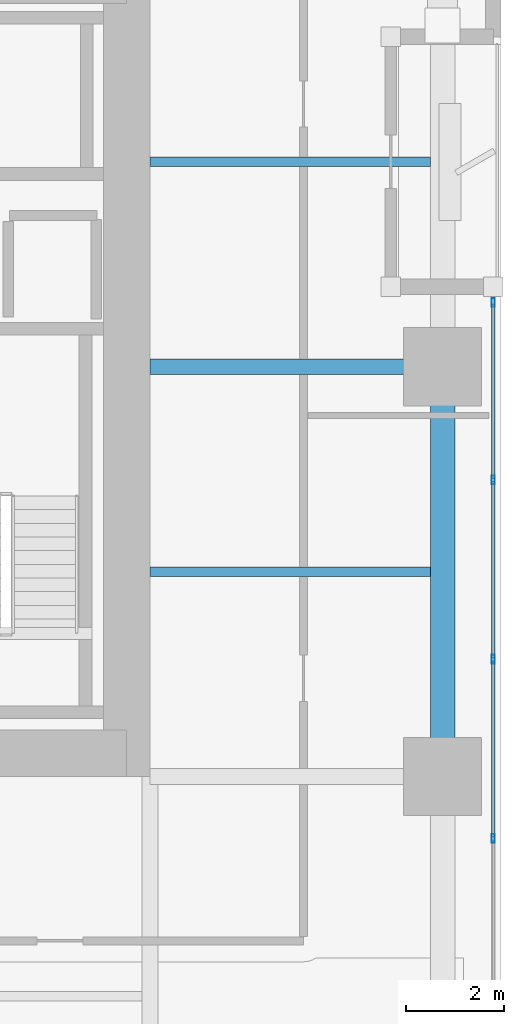
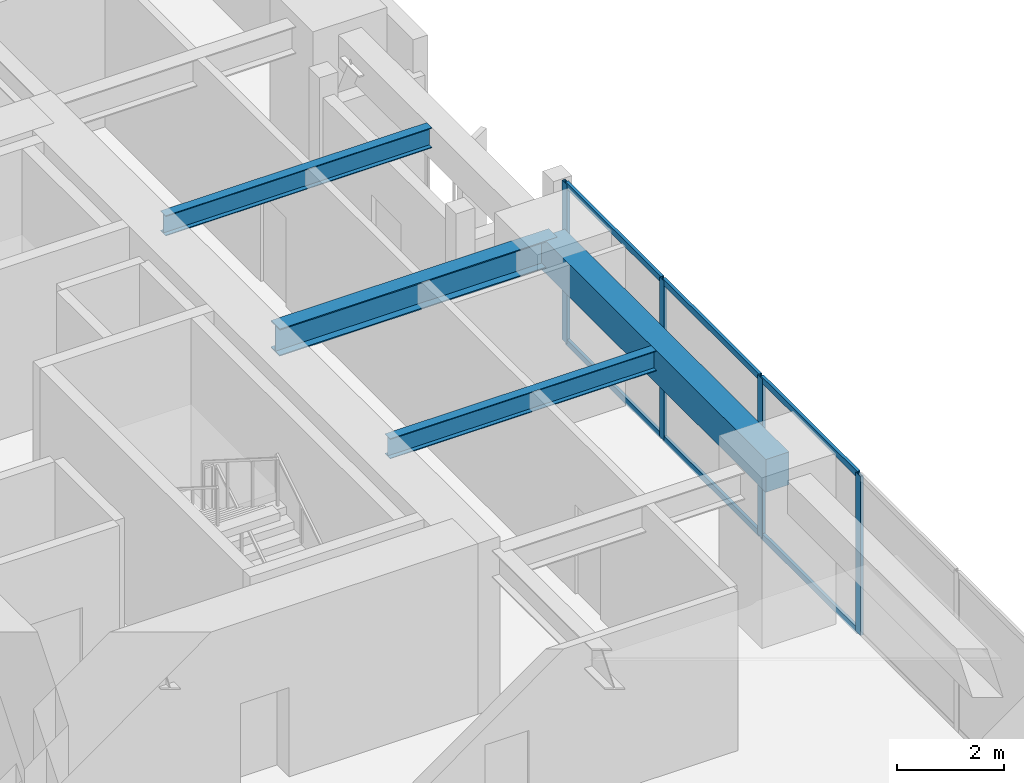
# One storey, part 6 of 24: 10 members, 4 beams, 1 element without a shape of its own.
"""IFC4 building model written with IfcOpenShell, lengths in metres."""

import ifcopenshell
import ifcopenshell.guid

model = None  # the IFC model being written
_history = None  # IfcOwnerHistory: only IFC2X3 demands one
_inside = {}  # id of a spatial element -> (the spatial element, [elements in it])
_under = {}  # id of a project, library or spatial element -> (it, [spatial elements below it])
_declared = {}  # id of a project -> (the project, [libraries it declares])
_typed = {}  # id of a type object -> (the type object, [elements of that type])
_made_of = {}  # id of a material, layer set ... -> (it, [elements and type objects made of it])


def new_model(schema):
    """Start an empty IFC model of exactly this schema.

    Asked for "IFC4X3", IfcOpenShell would pick the latest addendum, in which some entities
    have other attributes; the version numbers below select the first issue.
    IFC2X3 requires an IfcOwnerHistory on every rooted entity: one is made here for all.
    """
    global model, _history
    if schema == "IFC4X3":
        model = ifcopenshell.file(schema_version=(4, 3, 0, 0))
    else:
        model = ifcopenshell.file(schema=schema)
    _inside.clear()
    _under.clear()
    _declared.clear()
    _typed.clear()
    _made_of.clear()
    _history = None
    if model.schema == "IFC2X3":
        org = make("IfcOrganization", Name="unknown")
        user = make(
            "IfcPersonAndOrganization",
            ThePerson=make("IfcPerson", FamilyName="unknown"),
            TheOrganization=org,
        )
        app = make(
            "IfcApplication",
            ApplicationDeveloper=org,
            Version="unknown",
            ApplicationFullName="unknown",
            ApplicationIdentifier="unknown",
        )
        _history = make(
            "IfcOwnerHistory",
            OwningUser=user,
            OwningApplication=app,
            ChangeAction="ADDED",
            CreationDate=0,
        )
    return model


def make(cls, **values):
    """One entity of the class cls with the attributes given. An attribute that is None is left unset."""
    return model.create_entity(
        cls, **{name: value for name, value in values.items() if value is not None}
    )


def rooted(cls, **values):
    """An entity with a GlobalId (a new one), such as an element, a storey or a relation."""
    return make(cls, GlobalId=ifcopenshell.guid.new(), OwnerHistory=_history, **values)


def si_unit(unit_type, name, prefix=None):
    """IfcSIUnit, for example si_unit("LENGTHUNIT", "METRE", prefix="MILLI")."""
    return make("IfcSIUnit", UnitType=unit_type, Prefix=prefix, Name=name)


def assignment(units):
    """IfcUnitAssignment: the units of a project."""
    return None if units is None else make("IfcUnitAssignment", Units=units)


def point(xyz):
    """IfcCartesianPoint."""
    return None if xyz is None else make("IfcCartesianPoint", Coordinates=xyz)


def direction(xyz):
    """IfcDirection."""
    return None if xyz is None else make("IfcDirection", DirectionRatios=xyz)


def frame(location, z_axis=None, x_axis=None):
    """IfcAxis2Placement3D, a coordinate frame: its origin and axes. An axis left out is left unset."""
    return make(
        "IfcAxis2Placement3D",
        Location=point(location),
        Axis=direction(z_axis),
        RefDirection=direction(x_axis),
    )


def frame_2d(location, x_axis=None):
    """IfcAxis2Placement2D, a coordinate frame in the plane: its origin and x axis."""
    return make(
        "IfcAxis2Placement2D", Location=point(location), RefDirection=direction(x_axis)
    )


def origin():
    """The frame at (0, 0, 0) with its axes left unset."""
    return frame((0.0, 0.0, 0.0))


def origin_2d():
    """The frame at (0, 0) in the plane with its x axis left unset."""
    return frame_2d((0.0, 0.0))


def place(relative_to, where):
    """IfcLocalPlacement: puts the frame where relative to a parent placement (None: the world)."""
    return make(
        "IfcLocalPlacement", PlacementRelTo=relative_to, RelativePlacement=where
    )


def context(
    kind, dimensions, precision=None, world=None, true_north=None, identifier=None
):
    """IfcGeometricRepresentationContext, for example the 3D "Model" context."""
    return make(
        "IfcGeometricRepresentationContext",
        ContextIdentifier=identifier,
        ContextType=kind,
        CoordinateSpaceDimension=dimensions,
        Precision=precision,
        WorldCoordinateSystem=world,
        TrueNorth=true_north,
    )


def subcontext(parent, identifier, kind, view, scale=None):
    """IfcGeometricRepresentationSubContext, for example "Body" below "Model"."""
    return make(
        "IfcGeometricRepresentationSubContext",
        ContextIdentifier=identifier,
        ContextType=kind,
        ParentContext=parent,
        TargetScale=scale,
        TargetView=view,
    )


def project(units=None, contexts=None):
    """IfcProject with its units and contexts."""
    return rooted(
        "IfcProject",
        Name="project",
        RepresentationContexts=contexts,
        UnitsInContext=assignment(units),
    )


def spatial(cls, under=None, at=None, **own):
    """A site, building, storey or space (cls), placed at a placement, below another one or the project."""
    s = rooted(cls, ObjectPlacement=at, **own)
    if under is not None:
        _under.setdefault(under.id(), (under, []))[1].append(s)
    return s


def profile(cls, at=None, kind="AREA", **sizes):
    """A parametric profile (cls). Its sizes go by their IFC names, for example OverallWidth=200.0."""
    return make(cls, ProfileType=kind, Position=at, **sizes)


def rectangle(**sizes):
    """IfcRectangleProfileDef."""
    return profile("IfcRectangleProfileDef", **sizes)


def hollow_rectangle(**sizes):
    """IfcRectangleHollowProfileDef."""
    return profile("IfcRectangleHollowProfileDef", **sizes)


def i_section(**sizes):
    """IfcIShapeProfileDef."""
    return profile("IfcIShapeProfileDef", **sizes)


def extrude(swept, where, along, depth):
    """IfcExtrudedAreaSolid: the profile swept, set in the frame where, extruded along a direction by depth."""
    return make(
        "IfcExtrudedAreaSolid",
        SweptArea=swept,
        Position=where,
        ExtrudedDirection=direction(along),
        Depth=depth,
    )


def shape(context_of_items, identifier, shape_type, items):
    """IfcShapeRepresentation: the items that make up one representation, for example the "Body"."""
    return make(
        "IfcShapeRepresentation",
        ContextOfItems=context_of_items,
        RepresentationIdentifier=identifier,
        RepresentationType=shape_type,
        Items=items,
    )


def material(Name=None, Category=None):
    """IfcMaterial."""
    return make("IfcMaterial", Name=Name, Category=Category)


def layer(
    of_material, thickness, ventilated=None, Name=None, Category=None, Priority=None
):
    """IfcMaterialLayer: one layer of a wall or slab, of a material (None: an air gap)."""
    return make(
        "IfcMaterialLayer",
        Material=of_material,
        LayerThickness=thickness,
        IsVentilated=ventilated,
        Name=Name,
        Category=Category,
        Priority=Priority,
    )


def layer_set(layers, Name=None):
    """IfcMaterialLayerSet."""
    return make("IfcMaterialLayerSet", MaterialLayers=layers, LayerSetName=Name)


def material_profile(
    of_material, cross_section, Name=None, Category=None, Priority=None
):
    """IfcMaterialProfile: a cross section and its material."""
    return make(
        "IfcMaterialProfile",
        Name=Name,
        Material=of_material,
        Profile=cross_section,
        Priority=Priority,
        Category=Category,
    )


def profile_set(profiles, Name=None, composite=None):
    """IfcMaterialProfileSet."""
    return make(
        "IfcMaterialProfileSet",
        Name=Name,
        MaterialProfiles=profiles,
        CompositeProfile=composite,
    )


def made_of(thing, what):
    """Note that an element or type object is made of a material, layer set ...; save() writes the relation."""
    if what is not None:
        _made_of.setdefault(what.id(), (what, []))[1].append(thing)
    return thing


def type_object(cls, material=None, **own):
    """A type object (cls), such as IfcWallType, which elements share."""
    return made_of(rooted(cls, **own), material)


def element(
    cls,
    number,
    at=None,
    inside=None,
    cuts=None,
    type_object=None,
    material=None,
    context=None,
    identifier="Body",
    shape_type=None,
    held_by="IfcProductDefinitionShape",
    body=None,
    shapes=None,
    **own,
):
    """One element of the class cls, such as IfcWall. Its Tag is "e" and its number.

    at: its placement. inside: the storey or other place that contains it. cuts: it is an
    opening in that element (IfcRelVoidsElement). A single representation is given by context,
    identifier, shape_type and body (its items); several are given by shapes. held_by: the class
    of the entity that holds the representations. save() writes the other relations.
    """
    e = rooted(cls, Tag="e%d" % number, ObjectPlacement=at, **own)
    if body is not None:
        shapes = [shape(context, identifier, shape_type, body)]
    if shapes is not None:
        e.Representation = make(held_by, Representations=shapes)
    if inside is not None:
        _inside.setdefault(inside.id(), (inside, []))[1].append(e)
    if cuts is not None:
        rooted(
            "IfcRelVoidsElement", RelatingBuildingElement=cuts, RelatedOpeningElement=e
        )
    if type_object is not None:
        _typed.setdefault(type_object.id(), (type_object, []))[1].append(e)
    return made_of(e, material)


def aggregate(whole, parts):
    """IfcRelAggregates: a whole, such as a stair, and the parts it consists of."""
    return rooted("IfcRelAggregates", RelatingObject=whole, RelatedObjects=parts)


def save(model, path):
    """Write the relations noted so far, then the file.

    IfcRelAggregates (storeys below a building ...), IfcRelContainedInSpatialStructure (elements
    in a storey), IfcRelDefinesByType, IfcRelAssociatesMaterial and IfcRelDeclares: one each for
    every whole, place, type object, material and project.
    """
    for whole, parts in _under.values():
        aggregate(whole, parts)
    for where, things in _inside.values():
        rooted(
            "IfcRelContainedInSpatialStructure",
            RelatedElements=things,
            RelatingStructure=where,
        )
    for kind, things in _typed.values():
        rooted("IfcRelDefinesByType", RelatedObjects=things, RelatingType=kind)
    for what, things in _made_of.values():
        rooted("IfcRelAssociatesMaterial", RelatedObjects=things, RelatingMaterial=what)
    for by, libraries in _declared.values():
        rooted("IfcRelDeclares", RelatingContext=by, RelatedDefinitions=libraries)
    model.write(path)


model = new_model("IFC4")

# Units and contexts
model_context = context("Model", 3, precision=1e-05, world=origin(), true_north=direction((0.0, 1.0)))
body_context = subcontext(model_context, "Body", "Model", "MODEL_VIEW")
ifc_project = project(units=[si_unit("LENGTHUNIT", "METRE"), si_unit("AREAUNIT", "SQUARE_METRE"), si_unit("VOLUMEUNIT", "CUBIC_METRE"), si_unit("PLANEANGLEUNIT", "RADIAN"), si_unit("MASSUNIT", "GRAM", prefix="KILO")], contexts=[model_context])

# Site, building, storey
site_placement = place(None, origin())
site = spatial("IfcSite", under=ifc_project, at=site_placement, CompositionType="ELEMENT")
building_placement = place(site_placement, origin())
building = spatial("IfcBuilding", under=site, at=building_placement, Name="Kiyonajd Concourse Tower", CompositionType="ELEMENT")
storey_placement = place(building_placement, frame((0.0, 0.0, 89.699951171875)))
storey = spatial("IfcBuildingStorey", under=building, at=storey_placement, Name="L23", CompositionType="ELEMENT", Elevation=89.699951171875)

# Beams
ifc_material_1 = material(Name="Steel ASTM A992 Grade 50", Category="steel")
ifc_material_profile_1 = material_profile(ifc_material_1, i_section(OverallWidth=0.19189453125, OverallDepth=0.462890625, WebThickness=0.010498046875, FlangeThickness=0.017578125, at=origin_2d()), Name="W460X89")
ifc_profile_set_1 = profile_set([ifc_material_profile_1], Name="Steel ASTM A992 Grade 50")
beam_type_1 = type_object("IfcBeamType", Name="BM-JST-460B", PredefinedType="JOIST", material=ifc_profile_set_1)
for number, where, z_axis, x_axis, name in (
    (1, (63.60009765625, 31.800048828125, 3.408447265625), (1.0, 0.0, 0.0), (0.0, 1.0, 0.0), "L23 East Secondary Floor Joist"),
    (2, (63.60009765625, 40.199951171875, 3.408447265625), (1.0, 0.0, 0.0), (0.0, 1.0, 0.0), "L23 East Secondary Floor Joist"),
):
    element("IfcBeam", number, at=place(storey_placement, frame(where, z_axis=z_axis, x_axis=x_axis)), inside=storey, type_object=beam_type_1, Name=name, PredefinedType="JOIST", context=body_context, shape_type="SweptSolid", body=[
        extrude(i_section(OverallWidth=0.19189453125, OverallDepth=0.462890625, WebThickness=0.010498046875, FlangeThickness=0.017578125, at=origin_2d()), origin(), (0.0, 0.0, 1.0), 5.75),
    ])
ifc_material_2 = material(Name="Precast concrete C50/60", Category="concrete")
ifc_material_profile_2 = material_profile(ifc_material_2, rectangle(XDim=0.5, YDim=0.75, at=origin_2d()), Name="RCBM-500x750")
ifc_profile_set_2 = profile_set([ifc_material_profile_2], Name="Precast concrete C50/60")
beam_type_2 = type_object("IfcBeamType", Name="BM-SPAN-RC", PredefinedType="SPANDREL", material=ifc_profile_set_2)
beam_1_placement = place(storey_placement, frame((69.60009765625, 27.60009765625, 3.26513671875), z_axis=(0.0, 1.0, 0.0), x_axis=(-1.0, 0.0, 0.0)))
element("IfcBeam", 3, at=beam_1_placement, inside=storey, type_object=beam_type_2, Name="L23 Perimeter Bundled Tube Spandrel", PredefinedType="SPANDREL", context=body_context, shape_type="SweptSolid", body=[
    extrude(rectangle(XDim=0.5, YDim=0.75, at=origin_2d()), origin(), (0.0, 0.0, 1.0), 8.39990234375),
])
ifc_material_profile_3 = material_profile(ifc_material_1, i_section(OverallWidth=0.326904296875, OverallDepth=0.6220703125, WebThickness=0.015380859375, FlangeThickness=0.0244140625, at=origin_2d()), Name="W610X195")
ifc_profile_set_3 = profile_set([ifc_material_profile_3], Name="Steel ASTM A992 Grade 50")
beam_type_3 = type_object("IfcBeamType", Name="BM-TWR-610A", PredefinedType="BEAM", material=ifc_profile_set_3)
beam_2_placement = place(storey_placement, frame((63.60009765625, 36.0, 3.3291015625), z_axis=(1.0, 0.0, 0.0), x_axis=(0.0, 1.0, 0.0)))
element("IfcBeam", 4, at=beam_2_placement, inside=storey, type_object=beam_type_3, Name="L23 East Lease Girder", PredefinedType="BEAM", context=body_context, shape_type="SweptSolid", body=[
    extrude(i_section(OverallWidth=0.326904296875, OverallDepth=0.6220703125, WebThickness=0.015380859375, FlangeThickness=0.0244140625, at=origin_2d()), origin(), (0.0, 0.0, 1.0), 6.0),
])

# Curtain wall, members
ifc_material_3 = material(Name="Thermally Broken Anodised Aluminium", Category="aluminium")
ifc_layer = layer(ifc_material_3, 0.179931640625)
ifc_layer_set = layer_set([ifc_layer], Name="Thermally Broken Anodised Aluminium")
curtain_wall_type = type_object("IfcCurtainWallType", Name="CW-SYS-03", PredefinedType="NOTDEFINED", material=ifc_layer_set)
curtain_wall_placement = place(storey_placement, origin())
curtain_wall = element("IfcCurtainWall", 5, at=curtain_wall_placement, inside=storey, type_object=curtain_wall_type, Name="L23 Unitised Curtain Wall CW3", PredefinedType="NOTDEFINED")
ifc_material_profile_4 = material_profile(ifc_material_3, hollow_rectangle(XDim=0.06494140625, YDim=0.179931640625, WallThickness=0.00390625, at=origin_2d()), Name="MULL-65x180")
ifc_profile_set_4 = profile_set([ifc_material_profile_4], Name="Thermally Broken Anodised Aluminium")
member_type_1 = type_object("IfcMemberType", Name="MB-CW-MULL1", PredefinedType="MULLION", material=ifc_profile_set_4)
member_1_placement = place(storey_placement, frame((70.639892578125, 37.3173828125, 0.0), z_axis=(0.0, 0.0, 1.0), x_axis=(1.0, 0.0, 0.0)))
member_1 = element("IfcMember", 6, at=member_1_placement, type_object=member_type_1, Name="CW3 mullion 1", PredefinedType="MULLION", context=body_context, shape_type="SweptSolid", body=[
    extrude(hollow_rectangle(XDim=0.06494140625, YDim=0.179931640625, WallThickness=0.00390625, at=origin_2d()), origin(), (0.0, 0.0, 1.0), 3.64013671875),
])
member_2_placement = place(storey_placement, frame((70.639892578125, 33.6767578125, 0.0), z_axis=(0.0, 0.0, 1.0), x_axis=(1.0, 0.0, 0.0)))
member_2 = element("IfcMember", 7, at=member_2_placement, type_object=member_type_1, Name="CW3 mullion 2", PredefinedType="MULLION", context=body_context, shape_type="SweptSolid", body=[
    extrude(hollow_rectangle(XDim=0.06494140625, YDim=0.179931640625, WallThickness=0.00390625, at=origin_2d()), origin(), (0.0, 0.0, 1.0), 3.64013671875),
])
member_3_placement = place(storey_placement, frame((70.639892578125, 30.003662109375, 0.0), z_axis=(0.0, 0.0, 1.0), x_axis=(1.0, 0.0, 0.0)))
member_3 = element("IfcMember", 8, at=member_3_placement, type_object=member_type_1, Name="CW3 mullion 3", PredefinedType="MULLION", context=body_context, shape_type="SweptSolid", body=[
    extrude(hollow_rectangle(XDim=0.06494140625, YDim=0.179931640625, WallThickness=0.00390625, at=origin_2d()), origin(), (0.0, 0.0, 1.0), 3.64013671875),
])
member_4_placement = place(storey_placement, frame((70.639892578125, 26.33056640625, 0.0), z_axis=(0.0, 0.0, 1.0), x_axis=(1.0, 0.0, 0.0)))
member_4 = element("IfcMember", 9, at=member_4_placement, type_object=member_type_1, Name="CW3 mullion 4", PredefinedType="MULLION", context=body_context, shape_type="SweptSolid", body=[
    extrude(hollow_rectangle(XDim=0.06494140625, YDim=0.179931640625, WallThickness=0.00390625, at=origin_2d()), origin(), (0.0, 0.0, 1.0), 3.64013671875),
])
ifc_material_profile_5 = material_profile(ifc_material_3, hollow_rectangle(XDim=0.06494140625, YDim=0.139892578125, WallThickness=0.00390625, at=origin_2d()), Name="TRAN-65x140")
ifc_profile_set_5 = profile_set([ifc_material_profile_5], Name="Thermally Broken Anodised Aluminium")
member_type_2 = type_object("IfcMemberType", Name="MB-CW-TRAN1", PredefinedType="USERDEFINED", material=ifc_profile_set_5)
member_5_placement = place(storey_placement, frame((70.639892578125, 37.284912109375, 0.032470703125), z_axis=(0.0, -1.0, 0.0), x_axis=(1.0, 0.0, 0.0)))
member_5 = element("IfcMember", 10, at=member_5_placement, type_object=member_type_2, Name="CW3 transom 1.1", ObjectType="TRANSOM", PredefinedType="USERDEFINED", context=body_context, shape_type="SweptSolid", body=[
    extrude(hollow_rectangle(XDim=0.06494140625, YDim=0.139892578125, WallThickness=0.00390625, at=origin_2d()), origin(), (0.0, 0.0, 1.0), 3.57568359375),
])
member_6_placement = place(storey_placement, frame((70.639892578125, 37.284912109375, 3.607666015625), z_axis=(0.0, -1.0, 0.0), x_axis=(1.0, 0.0, 0.0)))
member_6 = element("IfcMember", 11, at=member_6_placement, type_object=member_type_2, Name="CW3 transom 1.2", ObjectType="TRANSOM", PredefinedType="USERDEFINED", context=body_context, shape_type="SweptSolid", body=[
    extrude(hollow_rectangle(XDim=0.06494140625, YDim=0.139892578125, WallThickness=0.00390625, at=origin_2d()), origin(), (0.0, 0.0, 1.0), 3.57568359375),
])
member_7_placement = place(storey_placement, frame((70.639892578125, 33.644287109375, 0.032470703125), z_axis=(0.0, -1.0, 0.0), x_axis=(1.0, 0.0, 0.0)))
member_7 = element("IfcMember", 12, at=member_7_placement, type_object=member_type_2, Name="CW3 transom 2.1", ObjectType="TRANSOM", PredefinedType="USERDEFINED", context=body_context, shape_type="SweptSolid", body=[
    extrude(hollow_rectangle(XDim=0.06494140625, YDim=0.139892578125, WallThickness=0.00390625, at=origin_2d()), origin(), (0.0, 0.0, 1.0), 3.608154296875),
])
member_8_placement = place(storey_placement, frame((70.639892578125, 33.644287109375, 3.607666015625), z_axis=(0.0, -1.0, 0.0), x_axis=(1.0, 0.0, 0.0)))
member_8 = element("IfcMember", 13, at=member_8_placement, type_object=member_type_2, Name="CW3 transom 2.2", ObjectType="TRANSOM", PredefinedType="USERDEFINED", context=body_context, shape_type="SweptSolid", body=[
    extrude(hollow_rectangle(XDim=0.06494140625, YDim=0.139892578125, WallThickness=0.00390625, at=origin_2d()), origin(), (0.0, 0.0, 1.0), 3.608154296875),
])
member_9_placement = place(storey_placement, frame((70.639892578125, 29.97119140625, 0.032470703125), z_axis=(0.0, -1.0, 0.0), x_axis=(1.0, 0.0, 0.0)))
member_9 = element("IfcMember", 14, at=member_9_placement, type_object=member_type_2, Name="CW3 transom 3.1", ObjectType="TRANSOM", PredefinedType="USERDEFINED", context=body_context, shape_type="SweptSolid", body=[
    extrude(hollow_rectangle(XDim=0.06494140625, YDim=0.139892578125, WallThickness=0.00390625, at=origin_2d()), origin(), (0.0, 0.0, 1.0), 3.608154296875),
])
member_10_placement = place(storey_placement, frame((70.639892578125, 29.97119140625, 3.607666015625), z_axis=(0.0, -1.0, 0.0), x_axis=(1.0, 0.0, 0.0)))
member_10 = element("IfcMember", 15, at=member_10_placement, type_object=member_type_2, Name="CW3 transom 3.2", ObjectType="TRANSOM", PredefinedType="USERDEFINED", context=body_context, shape_type="SweptSolid", body=[
    extrude(hollow_rectangle(XDim=0.06494140625, YDim=0.139892578125, WallThickness=0.00390625, at=origin_2d()), origin(), (0.0, 0.0, 1.0), 3.608154296875),
])
aggregate(curtain_wall, [member_1, member_2, member_3, member_4, member_5, member_6, member_7, member_8, member_9, member_10])

save(model, "model.ifc")
